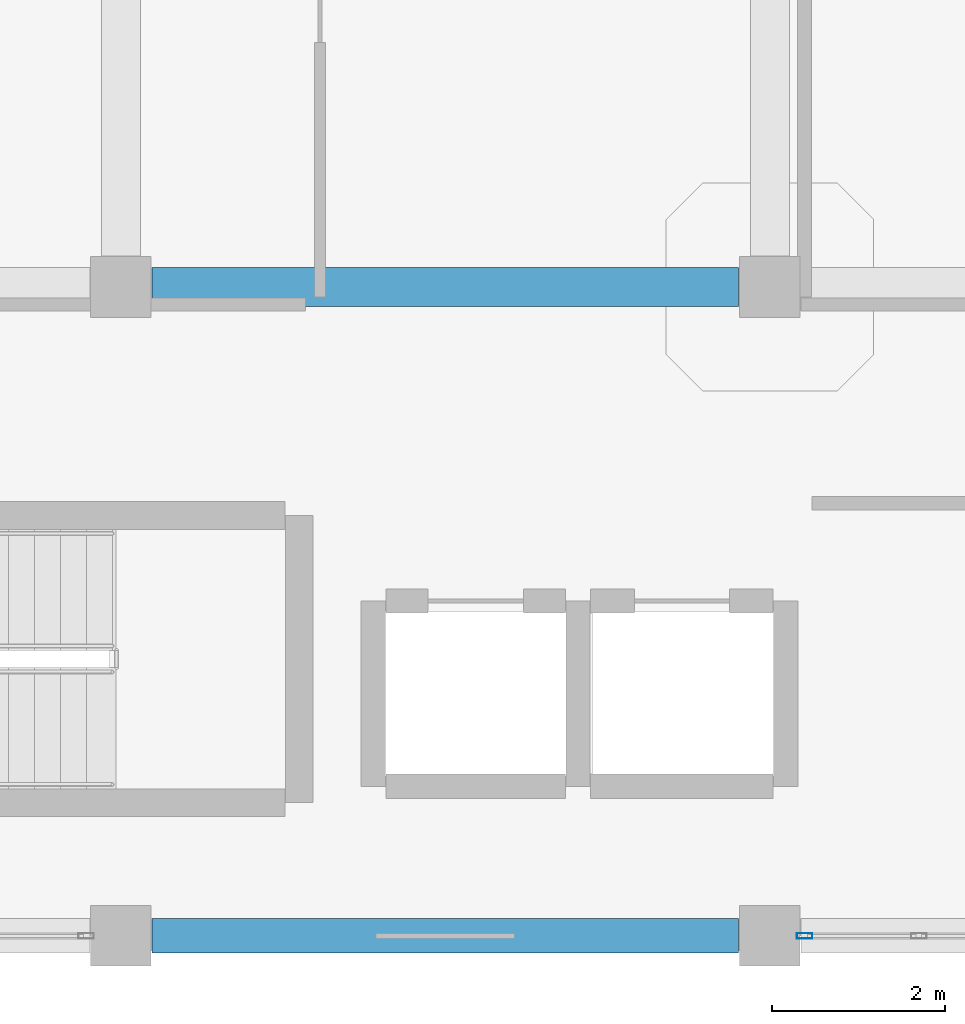
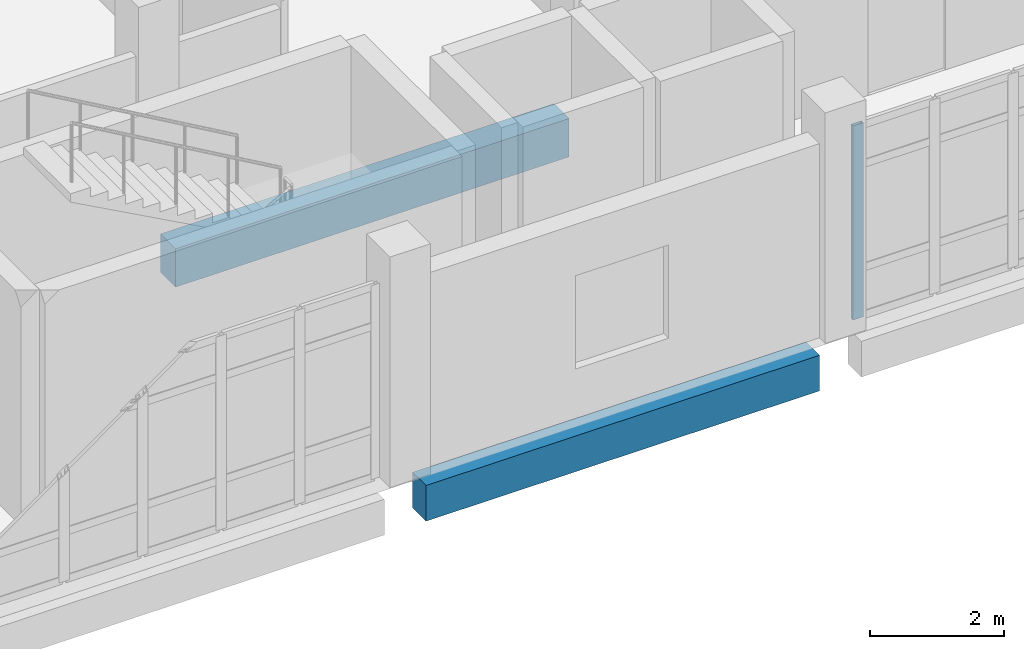
# One storey, part 15 of 164: 2 beams, 1 member, 1 element without a shape of its own.
"""IFC4 building model written with IfcOpenShell, lengths in metres."""

from ifc_helpers import new_model, si_unit, direction, frame, origin, origin_2d, place, context, subcontext, project, spatial, rectangle, hollow_rectangle, extrude, material, layer, layer_set, material_profile, profile_set, type_object, element, aggregate, save


model = new_model("IFC4")

# Units and contexts
model_context = context("Model", 3, precision=1e-05, world=origin(), true_north=direction((0.0, 1.0)))
body_context = subcontext(model_context, "Body", "Model", "MODEL_VIEW")
ifc_project = project(units=[si_unit("LENGTHUNIT", "METRE"), si_unit("AREAUNIT", "SQUARE_METRE"), si_unit("VOLUMEUNIT", "CUBIC_METRE"), si_unit("PLANEANGLEUNIT", "RADIAN"), si_unit("MASSUNIT", "GRAM", prefix="KILO")], contexts=[model_context])

# Site, building, storey
site_placement = place(None, origin())
site = spatial("IfcSite", under=ifc_project, at=site_placement, CompositionType="ELEMENT")
building_placement = place(site_placement, origin())
building = spatial("IfcBuilding", under=site, at=building_placement, Name="Mawjan Specialist Oncology Clinic", CompositionType="ELEMENT")
storey_placement = place(building_placement, frame((0.0, 0.0, 5.0)))
storey = spatial("IfcBuildingStorey", under=building, at=storey_placement, Name="L01", CompositionType="ELEMENT", Elevation=5.0)

# Beam
ifc_material_1 = material(Name="Concrete C40/50", Category="concrete")
ifc_material_profile_1 = material_profile(ifc_material_1, rectangle(XDim=0.449951171875, YDim=0.699951171875, at=origin_2d()), Name="RC BM 450x700", Category="concrete")
ifc_profile_set_1 = profile_set([ifc_material_profile_1], Name="Concrete C40/50")
beam_type_1 = type_object("IfcBeamType", Name="BM-450x700", PredefinedType="BEAM", material=ifc_profile_set_1)
beam_1_placement = place(storey_placement, frame((7.860107421875, 8.300048828125, -0.8701171875), z_axis=(1.0, 0.0, 0.0), x_axis=(0.0, 1.0, 0.0)))
element("IfcBeam", 1, at=beam_1_placement, inside=storey, type_object=beam_type_1, Name="L01 Collector Beam BM-L01-0232", PredefinedType="BEAM", context=body_context, shape_type="SweptSolid", body=[
    extrude(rectangle(XDim=0.449951171875, YDim=0.699951171875, at=origin_2d()), origin(), (0.0, 0.0, 1.0), 6.77978515625),
])

# Curtain wall, member
ifc_material_2 = material(Name="Unitised spectrally selective aluminium curtain wall", Category="aluminium")
ifc_layer = layer(ifc_material_2, 0.179931640625, Name="Unitised spectrally selective aluminium curtain wall", Category="aluminium")
ifc_layer_set = layer_set([ifc_layer], Name="Unitised spectrally selective aluminium curtain wall")
curtain_wall_type = type_object("IfcCurtainWallType", Name="CW-73", PredefinedType="NOTDEFINED", material=ifc_layer_set)
curtain_wall_placement = place(storey_placement, origin())
curtain_wall = element("IfcCurtainWall", 2, at=curtain_wall_placement, inside=storey, type_object=curtain_wall_type, Name="L01 Unitised Curtain Wall CW-L01-143", PredefinedType="NOTDEFINED")
ifc_material_3 = material(Name="Thermally broken aluminium 6063-T6", Category="aluminium")
ifc_material_profile_2 = material_profile(ifc_material_3, hollow_rectangle(XDim=0.06494140625, YDim=0.179931640625, WallThickness=0.00390625, at=origin_2d()), Name="ALU MULLION 180x65x4", Category="aluminium")
ifc_profile_set_2 = profile_set([ifc_material_profile_2], Name="Thermally broken aluminium 6063-T6")
member_type = type_object("IfcMemberType", Name="CW-M180", PredefinedType="MULLION", material=ifc_profile_set_2)
member_placement = place(storey_placement, frame((15.402587890625, 0.800048828125, 0.0), z_axis=(0.0, 0.0, 1.0), x_axis=(0.0, -1.0, 0.0)))
member = element("IfcMember", 3, at=member_placement, type_object=member_type, Name="CW-73 mullion 6", PredefinedType="MULLION", context=body_context, shape_type="SweptSolid", body=[
    extrude(hollow_rectangle(XDim=0.06494140625, YDim=0.179931640625, WallThickness=0.00390625, at=origin_2d()), origin(), (0.0, 0.0, 1.0), 3.534912109375),
])
aggregate(curtain_wall, [member])

# Beam
ifc_material_4 = material(Name="Concrete C45/55", Category="concrete")
ifc_material_profile_3 = material_profile(ifc_material_4, rectangle(XDim=0.39990234375, YDim=0.64990234375, at=origin_2d()), Name="RC BM 400x650", Category="concrete")
ifc_profile_set_3 = profile_set([ifc_material_profile_3], Name="Concrete C45/55")
beam_type_2 = type_object("IfcBeamType", Name="SP-400x650", PredefinedType="SPANDREL", material=ifc_profile_set_3)
beam_2_placement = place(storey_placement, frame((7.860107421875, 0.800048828125, -0.625), z_axis=(1.0, 0.0, 0.0), x_axis=(0.0, 1.0, 0.0)))
element("IfcBeam", 4, at=beam_2_placement, inside=storey, type_object=beam_type_2, Name="L01 Spandrel Beam BM-L01-0226", PredefinedType="SPANDREL", context=body_context, shape_type="SweptSolid", body=[
    extrude(rectangle(XDim=0.39990234375, YDim=0.64990234375, at=origin_2d()), origin(), (0.0, 0.0, 1.0), 6.77978515625),
])

save(model, "model.ifc")
